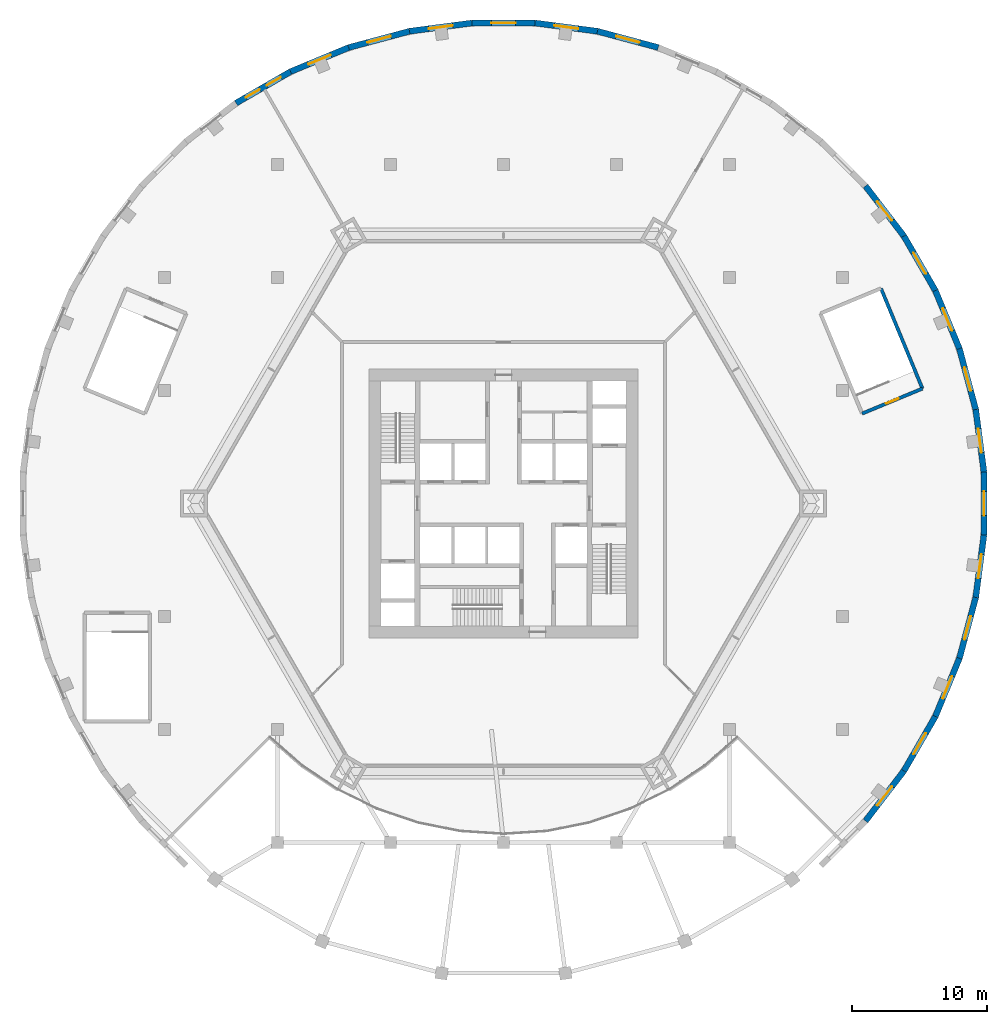
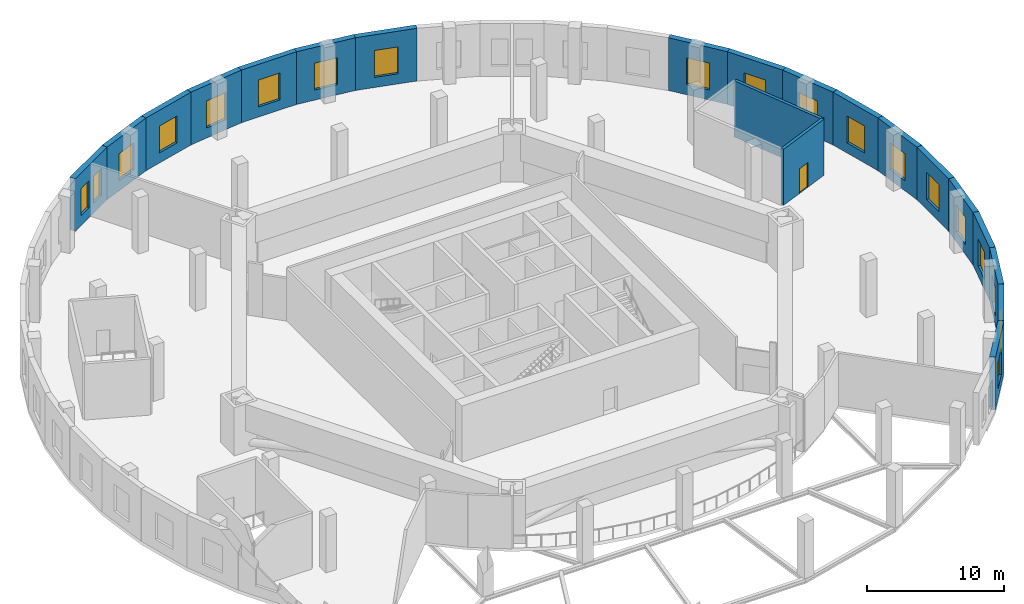
# One storey, part 8 of 10: 20 walls, 19 windows, 1 door, 20 openings.
"""IFC4 building model written with IfcOpenShell, lengths in metres."""

import ifcopenshell
import ifcopenshell.guid

model = None  # the IFC model being written
_history = None  # IfcOwnerHistory: only IFC2X3 demands one
_inside = {}  # id of a spatial element -> (the spatial element, [elements in it])
_under = {}  # id of a project, library or spatial element -> (it, [spatial elements below it])
_declared = {}  # id of a project -> (the project, [libraries it declares])
_typed = {}  # id of a type object -> (the type object, [elements of that type])
_made_of = {}  # id of a material, layer set ... -> (it, [elements and type objects made of it])


def new_model(schema):
    """Start an empty IFC model of exactly this schema.

    Asked for "IFC4X3", IfcOpenShell would pick the latest addendum, in which some entities
    have other attributes; the version numbers below select the first issue.
    IFC2X3 requires an IfcOwnerHistory on every rooted entity: one is made here for all.
    """
    global model, _history
    if schema == "IFC4X3":
        model = ifcopenshell.file(schema_version=(4, 3, 0, 0))
    else:
        model = ifcopenshell.file(schema=schema)
    _inside.clear()
    _under.clear()
    _declared.clear()
    _typed.clear()
    _made_of.clear()
    _history = None
    if model.schema == "IFC2X3":
        org = make("IfcOrganization", Name="unknown")
        user = make(
            "IfcPersonAndOrganization",
            ThePerson=make("IfcPerson", FamilyName="unknown"),
            TheOrganization=org,
        )
        app = make(
            "IfcApplication",
            ApplicationDeveloper=org,
            Version="unknown",
            ApplicationFullName="unknown",
            ApplicationIdentifier="unknown",
        )
        _history = make(
            "IfcOwnerHistory",
            OwningUser=user,
            OwningApplication=app,
            ChangeAction="ADDED",
            CreationDate=0,
        )
    return model


def make(cls, **values):
    """One entity of the class cls with the attributes given. An attribute that is None is left unset."""
    return model.create_entity(
        cls, **{name: value for name, value in values.items() if value is not None}
    )


def rooted(cls, **values):
    """An entity with a GlobalId (a new one), such as an element, a storey or a relation."""
    return make(cls, GlobalId=ifcopenshell.guid.new(), OwnerHistory=_history, **values)


def si_unit(unit_type, name, prefix=None):
    """IfcSIUnit, for example si_unit("LENGTHUNIT", "METRE", prefix="MILLI")."""
    return make("IfcSIUnit", UnitType=unit_type, Prefix=prefix, Name=name)


def assignment(units):
    """IfcUnitAssignment: the units of a project."""
    return None if units is None else make("IfcUnitAssignment", Units=units)


def point(xyz):
    """IfcCartesianPoint."""
    return None if xyz is None else make("IfcCartesianPoint", Coordinates=xyz)


def direction(xyz):
    """IfcDirection."""
    return None if xyz is None else make("IfcDirection", DirectionRatios=xyz)


def frame(location, z_axis=None, x_axis=None):
    """IfcAxis2Placement3D, a coordinate frame: its origin and axes. An axis left out is left unset."""
    return make(
        "IfcAxis2Placement3D",
        Location=point(location),
        Axis=direction(z_axis),
        RefDirection=direction(x_axis),
    )


def frame_2d(location, x_axis=None):
    """IfcAxis2Placement2D, a coordinate frame in the plane: its origin and x axis."""
    return make(
        "IfcAxis2Placement2D", Location=point(location), RefDirection=direction(x_axis)
    )


def origin():
    """The frame at (0, 0, 0) with its axes left unset."""
    return frame((0.0, 0.0, 0.0))


def place(relative_to, where):
    """IfcLocalPlacement: puts the frame where relative to a parent placement (None: the world)."""
    return make(
        "IfcLocalPlacement", PlacementRelTo=relative_to, RelativePlacement=where
    )


def context(
    kind, dimensions, precision=None, world=None, true_north=None, identifier=None
):
    """IfcGeometricRepresentationContext, for example the 3D "Model" context."""
    return make(
        "IfcGeometricRepresentationContext",
        ContextIdentifier=identifier,
        ContextType=kind,
        CoordinateSpaceDimension=dimensions,
        Precision=precision,
        WorldCoordinateSystem=world,
        TrueNorth=true_north,
    )


def subcontext(parent, identifier, kind, view, scale=None):
    """IfcGeometricRepresentationSubContext, for example "Body" below "Model"."""
    return make(
        "IfcGeometricRepresentationSubContext",
        ContextIdentifier=identifier,
        ContextType=kind,
        ParentContext=parent,
        TargetScale=scale,
        TargetView=view,
    )


def project(units=None, contexts=None):
    """IfcProject with its units and contexts."""
    return rooted(
        "IfcProject",
        Name="project",
        RepresentationContexts=contexts,
        UnitsInContext=assignment(units),
    )


def spatial(cls, under=None, at=None, **own):
    """A site, building, storey or space (cls), placed at a placement, below another one or the project."""
    s = rooted(cls, ObjectPlacement=at, **own)
    if under is not None:
        _under.setdefault(under.id(), (under, []))[1].append(s)
    return s


def profile(cls, at=None, kind="AREA", **sizes):
    """A parametric profile (cls). Its sizes go by their IFC names, for example OverallWidth=200.0."""
    return make(cls, ProfileType=kind, Position=at, **sizes)


def rectangle(**sizes):
    """IfcRectangleProfileDef."""
    return profile("IfcRectangleProfileDef", **sizes)


def extrude(swept, where, along, depth):
    """IfcExtrudedAreaSolid: the profile swept, set in the frame where, extruded along a direction by depth."""
    return make(
        "IfcExtrudedAreaSolid",
        SweptArea=swept,
        Position=where,
        ExtrudedDirection=direction(along),
        Depth=depth,
    )


def shape(context_of_items, identifier, shape_type, items):
    """IfcShapeRepresentation: the items that make up one representation, for example the "Body"."""
    return make(
        "IfcShapeRepresentation",
        ContextOfItems=context_of_items,
        RepresentationIdentifier=identifier,
        RepresentationType=shape_type,
        Items=items,
    )


def material(Name=None, Category=None):
    """IfcMaterial."""
    return make("IfcMaterial", Name=Name, Category=Category)


def layer(
    of_material, thickness, ventilated=None, Name=None, Category=None, Priority=None
):
    """IfcMaterialLayer: one layer of a wall or slab, of a material (None: an air gap)."""
    return make(
        "IfcMaterialLayer",
        Material=of_material,
        LayerThickness=thickness,
        IsVentilated=ventilated,
        Name=Name,
        Category=Category,
        Priority=Priority,
    )


def layer_set(layers, Name=None):
    """IfcMaterialLayerSet."""
    return make("IfcMaterialLayerSet", MaterialLayers=layers, LayerSetName=Name)


def made_of(thing, what):
    """Note that an element or type object is made of a material, layer set ...; save() writes the relation."""
    if what is not None:
        _made_of.setdefault(what.id(), (what, []))[1].append(thing)
    return thing


def type_object(cls, material=None, **own):
    """A type object (cls), such as IfcWallType, which elements share."""
    return made_of(rooted(cls, **own), material)


def element(
    cls,
    number,
    at=None,
    inside=None,
    cuts=None,
    type_object=None,
    material=None,
    context=None,
    identifier="Body",
    shape_type=None,
    held_by="IfcProductDefinitionShape",
    body=None,
    shapes=None,
    **own,
):
    """One element of the class cls, such as IfcWall. Its Tag is "e" and its number.

    at: its placement. inside: the storey or other place that contains it. cuts: it is an
    opening in that element (IfcRelVoidsElement). A single representation is given by context,
    identifier, shape_type and body (its items); several are given by shapes. held_by: the class
    of the entity that holds the representations. save() writes the other relations.
    """
    e = rooted(cls, Tag="e%d" % number, ObjectPlacement=at, **own)
    if body is not None:
        shapes = [shape(context, identifier, shape_type, body)]
    if shapes is not None:
        e.Representation = make(held_by, Representations=shapes)
    if inside is not None:
        _inside.setdefault(inside.id(), (inside, []))[1].append(e)
    if cuts is not None:
        rooted(
            "IfcRelVoidsElement", RelatingBuildingElement=cuts, RelatedOpeningElement=e
        )
    if type_object is not None:
        _typed.setdefault(type_object.id(), (type_object, []))[1].append(e)
    return made_of(e, material)


def fill(opening, filler):
    """IfcRelFillsElement: the door or window that sits in an opening."""
    return rooted(
        "IfcRelFillsElement",
        RelatingOpeningElement=opening,
        RelatedBuildingElement=filler,
    )


def aggregate(whole, parts):
    """IfcRelAggregates: a whole, such as a stair, and the parts it consists of."""
    return rooted("IfcRelAggregates", RelatingObject=whole, RelatedObjects=parts)


def save(model, path):
    """Write the relations noted so far, then the file.

    IfcRelAggregates (storeys below a building ...), IfcRelContainedInSpatialStructure (elements
    in a storey), IfcRelDefinesByType, IfcRelAssociatesMaterial and IfcRelDeclares: one each for
    every whole, place, type object, material and project.
    """
    for whole, parts in _under.values():
        aggregate(whole, parts)
    for where, things in _inside.values():
        rooted(
            "IfcRelContainedInSpatialStructure",
            RelatedElements=things,
            RelatingStructure=where,
        )
    for kind, things in _typed.values():
        rooted("IfcRelDefinesByType", RelatedObjects=things, RelatingType=kind)
    for what, things in _made_of.values():
        rooted("IfcRelAssociatesMaterial", RelatedObjects=things, RelatingMaterial=what)
    for by, libraries in _declared.values():
        rooted("IfcRelDeclares", RelatingContext=by, RelatedDefinitions=libraries)
    model.write(path)


model = new_model("IFC4")

# Units and contexts
model_context = context("Model", 3, precision=1e-05, world=origin(), true_north=direction((0.0, 1.0)))
body_context = subcontext(model_context, "Body", "Model", "MODEL_VIEW")
ifc_project = project(units=[si_unit("LENGTHUNIT", "METRE"), si_unit("AREAUNIT", "SQUARE_METRE"), si_unit("VOLUMEUNIT", "CUBIC_METRE"), si_unit("PLANEANGLEUNIT", "RADIAN"), si_unit("MASSUNIT", "GRAM", prefix="KILO")], contexts=[model_context])

# Site, building, storey
site_placement = place(None, origin())
site = spatial("IfcSite", under=ifc_project, at=site_placement, CompositionType="ELEMENT")
building_placement = place(site_placement, origin())
building = spatial("IfcBuilding", under=site, at=building_placement, Name="Golbaran Civic Tower", CompositionType="ELEMENT")
storey_placement = place(building_placement, frame((0.0, 0.0, 16.0)))
storey = spatial("IfcBuildingStorey", under=building, at=storey_placement, Name="L03", CompositionType="ELEMENT", Elevation=16.0)

# Wall, opening, door
ifc_material_1 = material(Name="Concrete C50/60", Category="concrete")
ifc_layer_1 = layer(ifc_material_1, 0.25, Name="Concrete C50/60")
ifc_layer_set_1 = layer_set([ifc_layer_1], Name="Concrete C50/60")
wall_type_1 = type_object("IfcWallType", Name="STAIR ENCLOSURE WALL CONCRETE 250", PredefinedType="SOLIDWALL", material=ifc_layer_set_1)
wall_1_placement = place(storey_placement, frame((31.12744140625, 8.536865234375, 0.0), z_axis=(0.0, 0.0, 1.0), x_axis=(-0.923880627248, -0.382680789426, 0.0)))
wall_1 = element("IfcWall", 1, at=wall_1_placement, inside=storey, type_object=wall_type_1, Name="Stair P1 enclosure A L03", PredefinedType="SOLIDWALL", context=body_context, shape_type="SweptSolid", body=[
    extrude(rectangle(XDim=4.849853515625, YDim=0.25, at=frame_2d((2.4248046875, 0.0))), origin(), (0.0, 0.0, 1.0), 5.0),
])
opening_1_placement = place(wall_1_placement, frame((1.925048828125, 0.0, 0.0)))
opening_1 = element("IfcOpeningElement", 2, at=opening_1_placement, cuts=wall_1, Name="Opening L03.P1", PredefinedType="OPENING", context=body_context, shape_type="SweptSolid", body=[
    extrude(rectangle(XDim=1.0, YDim=2.199951171875, at=frame_2d((0.5, 1.10009765625))), frame((0.0, 0.135009765625, 0.0), z_axis=(0.0, -1.0, 0.0), x_axis=(1.0, 0.0, 0.0)), (0.0, 0.0, 1.0), 0.27001953125),
])
ifc_material_2 = material(Name="Timber door set in steel frame", Category="steel")
door_type = type_object("IfcDoorType", Name="STAIR DOOR 1000x2200", OperationType="SINGLE_SWING_LEFT", PredefinedType="DOOR", material=ifc_material_2)
door_placement = place(opening_1_placement, origin())
door = element("IfcDoor", 3, at=door_placement, inside=storey, type_object=door_type, Name="Stair P1 door", OperationType="SINGLE_SWING_RIGHT", OverallHeight=2.199951171875, OverallWidth=1.0, PredefinedType="DOOR", context=body_context, shape_type="SweptSolid", body=[
    extrude(rectangle(XDim=1.0, YDim=2.199951171875, at=frame_2d((0.5, 1.10009765625))), frame((0.0, 0.02490234375, 0.0), z_axis=(0.0, -1.0, 0.0), x_axis=(1.0, 0.0, 0.0)), (0.0, 0.0, 1.0), 0.050048828125),
])
fill(opening_1, door)

# Wall
wall_2_placement = place(storey_placement, frame((28.046875, 15.97412109375, 0.0), z_axis=(0.0, 0.0, 1.0), x_axis=(0.382678572144, -0.923881545666, 0.0)))
element("IfcWall", 4, at=wall_2_placement, inside=storey, type_object=wall_type_1, Name="Stair P1 enclosure D L03", PredefinedType="SOLIDWALL", context=body_context, shape_type="SweptSolid", body=[
    extrude(rectangle(XDim=8.050048828125, YDim=0.25, at=frame_2d((4.02490234375, 0.0))), origin(), (0.0, 0.0, 1.0), 5.0),
])

# Wall, opening, window
ifc_material_3 = material(Name="Terracotta brick", Category="masonry")
ifc_layer_2 = layer(ifc_material_3, 0.449951171875, Name="Terracotta brick")
ifc_layer_set_2 = layer_set([ifc_layer_2], Name="Terracotta brick")
wall_type_2 = type_object("IfcWallType", Name="TERRACOTTA BRICK FACADE WALL 450", PredefinedType="SOLIDWALL", material=ifc_layer_set_2)
wall_3_placement = place(storey_placement, frame((35.698486328125, 2.33984375, 0.0), z_axis=(0.0, 0.0, 1.0), x_axis=(-0.130536838198, 0.991443459746, 0.0)))
wall_3 = element("IfcWall", 5, at=wall_3_placement, inside=storey, type_object=wall_type_2, Name="Podium wall L03 facet 1", PredefinedType="SOLIDWALL", context=body_context, shape_type="SweptSolid", body=[
    extrude(rectangle(XDim=4.679443359375, YDim=0.449951171875, at=frame_2d((2.33984375, 0.0))), origin(), (0.0, 0.0, 1.0), 4.699951171875),
])
opening_2_placement = place(wall_3_placement, frame((1.439697265625, 0.0, 0.89990234375)))
opening_2 = element("IfcOpeningElement", 6, at=opening_2_placement, cuts=wall_3, Name="Opening L03.W01", PredefinedType="OPENING", context=body_context, shape_type="SweptSolid", body=[
    extrude(rectangle(XDim=1.800048828125, YDim=2.39990234375, at=frame_2d((0.89990234375, 1.199951171875))), frame((0.0, 0.23486328125, 0.0), z_axis=(0.0, -1.0, 0.0), x_axis=(1.0, 0.0, 0.0)), (0.0, 0.0, 1.0), 0.469970703125),
])
ifc_material_4 = material(Name="Aluminium frame, clear glass", Category="aluminium")
window_type_1 = type_object("IfcWindowType", Name="PODIUM WINDOW 1800x2400", PartitioningType="SINGLE_PANEL", PredefinedType="WINDOW", material=ifc_material_4)
window_1_placement = place(opening_2_placement, origin())
window_1 = element("IfcWindow", 7, at=window_1_placement, inside=storey, type_object=window_type_1, Name="Podium window L03 facet 1", OverallHeight=2.39990234375, OverallWidth=1.800048828125, PartitioningType="SINGLE_PANEL", PredefinedType="WINDOW", context=body_context, shape_type="SweptSolid", body=[
    extrude(rectangle(XDim=1.800048828125, YDim=2.39990234375, at=frame_2d((0.89990234375, 1.199951171875))), frame((0.0, 0.030029296875, 0.0), z_axis=(0.0, -1.0, 0.0), x_axis=(1.0, 0.0, 0.0)), (0.0, 0.0, 1.0), 0.06005859375),
])
fill(opening_2, window_1)

wall_4_placement = place(storey_placement, frame((35.087646484375, 6.979248046875, 0.0), z_axis=(0.0, 0.0, 1.0), x_axis=(-0.258815185258, 0.965926860523, 0.0)))
wall_4 = element("IfcWall", 8, at=wall_4_placement, inside=storey, type_object=wall_type_2, Name="Podium wall L03 facet 2", PredefinedType="SOLIDWALL", context=body_context, shape_type="SweptSolid", body=[
    extrude(rectangle(XDim=4.6796875, YDim=0.449951171875, at=frame_2d((2.33984375, 0.0))), origin(), (0.0, 0.0, 1.0), 4.699951171875),
])
opening_3_placement = place(wall_4_placement, frame((1.439697265625, 0.0, 0.89990234375)))
opening_3 = element("IfcOpeningElement", 9, at=opening_3_placement, cuts=wall_4, Name="Opening L03.W02", PredefinedType="OPENING", context=body_context, shape_type="SweptSolid", body=[
    extrude(rectangle(XDim=1.800048828125, YDim=2.39990234375, at=frame_2d((0.89990234375, 1.199951171875))), frame((0.0, 0.23486328125, 0.0), z_axis=(0.0, -1.0, 0.0), x_axis=(1.0, 0.0, 0.0)), (0.0, 0.0, 1.0), 0.469970703125),
])
window_2_placement = place(opening_3_placement, origin())
window_2 = element("IfcWindow", 10, at=window_2_placement, inside=storey, type_object=window_type_1, Name="Podium window L03 facet 2", OverallHeight=2.39990234375, OverallWidth=1.800048828125, PartitioningType="SINGLE_PANEL", PredefinedType="WINDOW", context=body_context, shape_type="SweptSolid", body=[
    extrude(rectangle(XDim=1.800048828125, YDim=2.39990234375, at=frame_2d((0.89990234375, 1.199951171875))), frame((0.0, 0.030029296875, 0.0), z_axis=(0.0, -1.0, 0.0), x_axis=(1.0, 0.0, 0.0)), (0.0, 0.0, 1.0), 0.06005859375),
])
fill(opening_3, window_2)

wall_5_placement = place(storey_placement, frame((33.87646484375, 11.49951171875, 0.0), z_axis=(0.0, 0.0, 1.0), x_axis=(-0.382669718086, 0.923885213032, 0.0)))
wall_5 = element("IfcWall", 11, at=wall_5_placement, inside=storey, type_object=wall_type_2, Name="Podium wall L03 facet 3", PredefinedType="SOLIDWALL", context=body_context, shape_type="SweptSolid", body=[
    extrude(rectangle(XDim=4.6796875, YDim=0.449951171875, at=frame_2d((2.33984375, 0.0))), origin(), (0.0, 0.0, 1.0), 4.699951171875),
])
opening_4_placement = place(wall_5_placement, frame((1.439697265625, 0.0, 0.89990234375)))
opening_4 = element("IfcOpeningElement", 12, at=opening_4_placement, cuts=wall_5, Name="Opening L03.W03", PredefinedType="OPENING", context=body_context, shape_type="SweptSolid", body=[
    extrude(rectangle(XDim=1.800048828125, YDim=2.39990234375, at=frame_2d((0.89990234375, 1.199951171875))), frame((0.0, 0.23486328125, 0.0), z_axis=(0.0, -1.0, 0.0), x_axis=(1.0, 0.0, 0.0)), (0.0, 0.0, 1.0), 0.469970703125),
])
window_3_placement = place(opening_4_placement, origin())
window_3 = element("IfcWindow", 13, at=window_3_placement, inside=storey, type_object=window_type_1, Name="Podium window L03 facet 3", OverallHeight=2.39990234375, OverallWidth=1.800048828125, PartitioningType="SINGLE_PANEL", PredefinedType="WINDOW", context=body_context, shape_type="SweptSolid", body=[
    extrude(rectangle(XDim=1.800048828125, YDim=2.39990234375, at=frame_2d((0.89990234375, 1.199951171875))), frame((0.0, 0.030029296875, 0.0), z_axis=(0.0, -1.0, 0.0), x_axis=(1.0, 0.0, 0.0)), (0.0, 0.0, 1.0), 0.06005859375),
])
fill(opening_4, window_3)

wall_6_placement = place(storey_placement, frame((32.085693359375, 15.822998046875, 0.0), z_axis=(0.0, 0.0, 1.0), x_axis=(-0.500022025083, 0.866012687223, 0.0)))
wall_6 = element("IfcWall", 14, at=wall_6_placement, inside=storey, type_object=wall_type_2, Name="Podium wall L03 facet 4", PredefinedType="SOLIDWALL", context=body_context, shape_type="SweptSolid", body=[
    extrude(rectangle(XDim=4.679443359375, YDim=0.449951171875, at=frame_2d((2.33984375, 0.0))), origin(), (0.0, 0.0, 1.0), 4.699951171875),
])
opening_5_placement = place(wall_6_placement, frame((1.439697265625, 0.0, 0.89990234375)))
opening_5 = element("IfcOpeningElement", 15, at=opening_5_placement, cuts=wall_6, Name="Opening L03.W04", PredefinedType="OPENING", context=body_context, shape_type="SweptSolid", body=[
    extrude(rectangle(XDim=1.800048828125, YDim=2.39990234375, at=frame_2d((0.89990234375, 1.199951171875))), frame((0.0, 0.23486328125, 0.0), z_axis=(0.0, -1.0, 0.0), x_axis=(1.0, 0.0, 0.0)), (0.0, 0.0, 1.0), 0.469970703125),
])
window_4_placement = place(opening_5_placement, origin())
window_4 = element("IfcWindow", 16, at=window_4_placement, inside=storey, type_object=window_type_1, Name="Podium window L03 facet 4", OverallHeight=2.39990234375, OverallWidth=1.800048828125, PartitioningType="SINGLE_PANEL", PredefinedType="WINDOW", context=body_context, shape_type="SweptSolid", body=[
    extrude(rectangle(XDim=1.800048828125, YDim=2.39990234375, at=frame_2d((0.89990234375, 1.199951171875))), frame((0.0, 0.030029296875, 0.0), z_axis=(0.0, -1.0, 0.0), x_axis=(1.0, 0.0, 0.0)), (0.0, 0.0, 1.0), 0.06005859375),
])
fill(opening_5, window_4)

wall_7_placement = place(storey_placement, frame((29.745849609375, 19.87548828125, 0.0), z_axis=(0.0, 0.0, 1.0), x_axis=(-0.608769916927, 0.79334682721, 0.0)))
wall_7 = element("IfcWall", 17, at=wall_7_placement, inside=storey, type_object=wall_type_2, Name="Podium wall L03 facet 5", PredefinedType="SOLIDWALL", context=body_context, shape_type="SweptSolid", body=[
    extrude(rectangle(XDim=4.6796875, YDim=0.449951171875, at=frame_2d((2.33984375, 0.0))), origin(), (0.0, 0.0, 1.0), 4.699951171875),
])
opening_6_placement = place(wall_7_placement, frame((1.439697265625, 0.0, 0.89990234375)))
opening_6 = element("IfcOpeningElement", 18, at=opening_6_placement, cuts=wall_7, Name="Opening L03.W05", PredefinedType="OPENING", context=body_context, shape_type="SweptSolid", body=[
    extrude(rectangle(XDim=1.800048828125, YDim=2.39990234375, at=frame_2d((0.89990234375, 1.199951171875))), frame((0.0, 0.23486328125, 0.0), z_axis=(0.0, -1.0, 0.0), x_axis=(1.0, 0.0, 0.0)), (0.0, 0.0, 1.0), 0.469970703125),
])
window_5_placement = place(opening_6_placement, origin())
window_5 = element("IfcWindow", 19, at=window_5_placement, inside=storey, type_object=window_type_1, Name="Podium window L03 facet 5", OverallHeight=2.39990234375, OverallWidth=1.800048828125, PartitioningType="SINGLE_PANEL", PredefinedType="WINDOW", context=body_context, shape_type="SweptSolid", body=[
    extrude(rectangle(XDim=1.800048828125, YDim=2.39990234375, at=frame_2d((0.89990234375, 1.199951171875))), frame((0.0, 0.030029296875, 0.0), z_axis=(0.0, -1.0, 0.0), x_axis=(1.0, 0.0, 0.0)), (0.0, 0.0, 1.0), 0.06005859375),
])
fill(opening_6, window_5)

wall_8_placement = place(storey_placement, frame((11.49951171875, 33.87646484375, 0.0), z_axis=(0.0, 0.0, 1.0), x_axis=(-0.965926860523, 0.258815185258, 0.0)))
wall_8 = element("IfcWall", 20, at=wall_8_placement, inside=storey, type_object=wall_type_2, Name="Podium wall L03 facet 10", PredefinedType="SOLIDWALL", context=body_context, shape_type="SweptSolid", body=[
    extrude(rectangle(XDim=4.6796875, YDim=0.449951171875, at=frame_2d((2.33984375, 0.0))), origin(), (0.0, 0.0, 1.0), 4.699951171875),
])
opening_7_placement = place(wall_8_placement, frame((1.439697265625, 0.0, 0.89990234375)))
opening_7 = element("IfcOpeningElement", 21, at=opening_7_placement, cuts=wall_8, Name="Opening L03.W11", PredefinedType="OPENING", context=body_context, shape_type="SweptSolid", body=[
    extrude(rectangle(XDim=1.800048828125, YDim=2.39990234375, at=frame_2d((0.89990234375, 1.199951171875))), frame((0.0, 0.23486328125, 0.0), z_axis=(0.0, -1.0, 0.0), x_axis=(1.0, 0.0, 0.0)), (0.0, 0.0, 1.0), 0.469970703125),
])
window_6_placement = place(opening_7_placement, origin())
window_6 = element("IfcWindow", 22, at=window_6_placement, inside=storey, type_object=window_type_1, Name="Podium window L03 facet 10", OverallHeight=2.39990234375, OverallWidth=1.800048828125, PartitioningType="SINGLE_PANEL", PredefinedType="WINDOW", context=body_context, shape_type="SweptSolid", body=[
    extrude(rectangle(XDim=1.800048828125, YDim=2.39990234375, at=frame_2d((0.89990234375, 1.199951171875))), frame((0.0, 0.030029296875, 0.0), z_axis=(0.0, -1.0, 0.0), x_axis=(1.0, 0.0, 0.0)), (0.0, 0.0, 1.0), 0.06005859375),
])
fill(opening_7, window_6)

wall_9_placement = place(storey_placement, frame((6.979248046875, 35.087646484375, 0.0), z_axis=(0.0, 0.0, 1.0), x_axis=(-0.991443459746, 0.130536838198, 0.0)))
wall_9 = element("IfcWall", 23, at=wall_9_placement, inside=storey, type_object=wall_type_2, Name="Podium wall L03 facet 11", PredefinedType="SOLIDWALL", context=body_context, shape_type="SweptSolid", body=[
    extrude(rectangle(XDim=4.679443359375, YDim=0.449951171875, at=frame_2d((2.33984375, 0.0))), origin(), (0.0, 0.0, 1.0), 4.699951171875),
])
opening_8_placement = place(wall_9_placement, frame((1.439697265625, 0.0, 0.89990234375)))
opening_8 = element("IfcOpeningElement", 24, at=opening_8_placement, cuts=wall_9, Name="Opening L03.W12", PredefinedType="OPENING", context=body_context, shape_type="SweptSolid", body=[
    extrude(rectangle(XDim=1.800048828125, YDim=2.39990234375, at=frame_2d((0.89990234375, 1.199951171875))), frame((0.0, 0.23486328125, 0.0), z_axis=(0.0, -1.0, 0.0), x_axis=(1.0, 0.0, 0.0)), (0.0, 0.0, 1.0), 0.469970703125),
])
window_7_placement = place(opening_8_placement, origin())
window_7 = element("IfcWindow", 25, at=window_7_placement, inside=storey, type_object=window_type_1, Name="Podium window L03 facet 11", OverallHeight=2.39990234375, OverallWidth=1.800048828125, PartitioningType="SINGLE_PANEL", PredefinedType="WINDOW", context=body_context, shape_type="SweptSolid", body=[
    extrude(rectangle(XDim=1.800048828125, YDim=2.39990234375, at=frame_2d((0.89990234375, 1.199951171875))), frame((0.0, 0.030029296875, 0.0), z_axis=(0.0, -1.0, 0.0), x_axis=(1.0, 0.0, 0.0)), (0.0, 0.0, 1.0), 0.06005859375),
])
fill(opening_8, window_7)

wall_10_placement = place(storey_placement, frame((2.33984375, 35.698486328125, 0.0), z_axis=(0.0, 0.0, 1.0), x_axis=(-1.0, 0.0, 0.0)))
wall_10 = element("IfcWall", 26, at=wall_10_placement, inside=storey, type_object=wall_type_2, Name="Podium wall L03 facet 12", PredefinedType="SOLIDWALL", context=body_context, shape_type="SweptSolid", body=[
    extrude(rectangle(XDim=4.6796875, YDim=0.449951171875, at=frame_2d((2.33984375, 0.0))), origin(), (0.0, 0.0, 1.0), 4.699951171875),
])
opening_9_placement = place(wall_10_placement, frame((1.439697265625, 0.0, 0.89990234375)))
opening_9 = element("IfcOpeningElement", 27, at=opening_9_placement, cuts=wall_10, Name="Opening L03.W13", PredefinedType="OPENING", context=body_context, shape_type="SweptSolid", body=[
    extrude(rectangle(XDim=1.800048828125, YDim=2.39990234375, at=frame_2d((0.89990234375, 1.199951171875))), frame((0.0, 0.23486328125, 0.0), z_axis=(0.0, -1.0, 0.0), x_axis=(1.0, 0.0, 0.0)), (0.0, 0.0, 1.0), 0.469970703125),
])
window_8_placement = place(opening_9_placement, origin())
window_8 = element("IfcWindow", 28, at=window_8_placement, inside=storey, type_object=window_type_1, Name="Podium window L03 facet 12", OverallHeight=2.39990234375, OverallWidth=1.800048828125, PartitioningType="SINGLE_PANEL", PredefinedType="WINDOW", context=body_context, shape_type="SweptSolid", body=[
    extrude(rectangle(XDim=1.800048828125, YDim=2.39990234375, at=frame_2d((0.89990234375, 1.199951171875))), frame((0.0, 0.030029296875, 0.0), z_axis=(0.0, -1.0, 0.0), x_axis=(1.0, 0.0, 0.0)), (0.0, 0.0, 1.0), 0.06005859375),
])
fill(opening_9, window_8)

wall_11_placement = place(storey_placement, frame((-2.33984375, 35.698486328125, 0.0), z_axis=(0.0, 0.0, 1.0), x_axis=(-0.991443459746, -0.130536838198, 0.0)))
wall_11 = element("IfcWall", 29, at=wall_11_placement, inside=storey, type_object=wall_type_2, Name="Podium wall L03 facet 13", PredefinedType="SOLIDWALL", context=body_context, shape_type="SweptSolid", body=[
    extrude(rectangle(XDim=4.679443359375, YDim=0.449951171875, at=frame_2d((2.33984375, 0.0))), origin(), (0.0, 0.0, 1.0), 4.699951171875),
])
opening_10_placement = place(wall_11_placement, frame((1.439697265625, 0.0, 0.89990234375)))
opening_10 = element("IfcOpeningElement", 30, at=opening_10_placement, cuts=wall_11, Name="Opening L03.W14", PredefinedType="OPENING", context=body_context, shape_type="SweptSolid", body=[
    extrude(rectangle(XDim=1.800048828125, YDim=2.39990234375, at=frame_2d((0.89990234375, 1.199951171875))), frame((0.0, 0.23486328125, 0.0), z_axis=(0.0, -1.0, 0.0), x_axis=(1.0, 0.0, 0.0)), (0.0, 0.0, 1.0), 0.469970703125),
])
window_9_placement = place(opening_10_placement, origin())
window_9 = element("IfcWindow", 31, at=window_9_placement, inside=storey, type_object=window_type_1, Name="Podium window L03 facet 13", OverallHeight=2.39990234375, OverallWidth=1.800048828125, PartitioningType="SINGLE_PANEL", PredefinedType="WINDOW", context=body_context, shape_type="SweptSolid", body=[
    extrude(rectangle(XDim=1.800048828125, YDim=2.39990234375, at=frame_2d((0.89990234375, 1.199951171875))), frame((0.0, 0.030029296875, 0.0), z_axis=(0.0, -1.0, 0.0), x_axis=(1.0, 0.0, 0.0)), (0.0, 0.0, 1.0), 0.06005859375),
])
fill(opening_10, window_9)

wall_12_placement = place(storey_placement, frame((-6.979248046875, 35.087646484375, 0.0), z_axis=(0.0, 0.0, 1.0), x_axis=(-0.965926860523, -0.258815185258, 0.0)))
wall_12 = element("IfcWall", 32, at=wall_12_placement, inside=storey, type_object=wall_type_2, Name="Podium wall L03 facet 14", PredefinedType="SOLIDWALL", context=body_context, shape_type="SweptSolid", body=[
    extrude(rectangle(XDim=4.6796875, YDim=0.449951171875, at=frame_2d((2.33984375, 0.0))), origin(), (0.0, 0.0, 1.0), 4.699951171875),
])
opening_11_placement = place(wall_12_placement, frame((1.439697265625, 0.0, 0.89990234375)))
opening_11 = element("IfcOpeningElement", 33, at=opening_11_placement, cuts=wall_12, Name="Opening L03.W15", PredefinedType="OPENING", context=body_context, shape_type="SweptSolid", body=[
    extrude(rectangle(XDim=1.800048828125, YDim=2.39990234375, at=frame_2d((0.89990234375, 1.199951171875))), frame((0.0, 0.23486328125, 0.0), z_axis=(0.0, -1.0, 0.0), x_axis=(1.0, 0.0, 0.0)), (0.0, 0.0, 1.0), 0.469970703125),
])
window_10_placement = place(opening_11_placement, origin())
window_10 = element("IfcWindow", 34, at=window_10_placement, inside=storey, type_object=window_type_1, Name="Podium window L03 facet 14", OverallHeight=2.39990234375, OverallWidth=1.800048828125, PartitioningType="SINGLE_PANEL", PredefinedType="WINDOW", context=body_context, shape_type="SweptSolid", body=[
    extrude(rectangle(XDim=1.800048828125, YDim=2.39990234375, at=frame_2d((0.89990234375, 1.199951171875))), frame((0.0, 0.030029296875, 0.0), z_axis=(0.0, -1.0, 0.0), x_axis=(1.0, 0.0, 0.0)), (0.0, 0.0, 1.0), 0.06005859375),
])
fill(opening_11, window_10)

wall_13_placement = place(storey_placement, frame((-11.49951171875, 33.87646484375, 0.0), z_axis=(0.0, 0.0, 1.0), x_axis=(-0.923885213032, -0.382669718086, 0.0)))
wall_13 = element("IfcWall", 35, at=wall_13_placement, inside=storey, type_object=wall_type_2, Name="Podium wall L03 facet 15", PredefinedType="SOLIDWALL", context=body_context, shape_type="SweptSolid", body=[
    extrude(rectangle(XDim=4.6796875, YDim=0.449951171875, at=frame_2d((2.33984375, 0.0))), origin(), (0.0, 0.0, 1.0), 4.699951171875),
])
opening_12_placement = place(wall_13_placement, frame((1.439697265625, 0.0, 0.89990234375)))
opening_12 = element("IfcOpeningElement", 36, at=opening_12_placement, cuts=wall_13, Name="Opening L03.W16", PredefinedType="OPENING", context=body_context, shape_type="SweptSolid", body=[
    extrude(rectangle(XDim=1.800048828125, YDim=2.39990234375, at=frame_2d((0.89990234375, 1.199951171875))), frame((0.0, 0.23486328125, 0.0), z_axis=(0.0, -1.0, 0.0), x_axis=(1.0, 0.0, 0.0)), (0.0, 0.0, 1.0), 0.469970703125),
])
window_11_placement = place(opening_12_placement, origin())
window_11 = element("IfcWindow", 37, at=window_11_placement, inside=storey, type_object=window_type_1, Name="Podium window L03 facet 15", OverallHeight=2.39990234375, OverallWidth=1.800048828125, PartitioningType="SINGLE_PANEL", PredefinedType="WINDOW", context=body_context, shape_type="SweptSolid", body=[
    extrude(rectangle(XDim=1.800048828125, YDim=2.39990234375, at=frame_2d((0.89990234375, 1.199951171875))), frame((0.0, 0.030029296875, 0.0), z_axis=(0.0, -1.0, 0.0), x_axis=(1.0, 0.0, 0.0)), (0.0, 0.0, 1.0), 0.06005859375),
])
fill(opening_12, window_11)

# Wall, openings, windows
wall_14_placement = place(storey_placement, frame((-15.822998046875, 32.085693359375, 0.0), z_axis=(0.0, 0.0, 1.0), x_axis=(-0.866012687223, -0.500022025083, 0.0)))
wall_14 = element("IfcWall", 38, at=wall_14_placement, inside=storey, type_object=wall_type_2, Name="Podium wall L03 facet 16", PredefinedType="SOLIDWALL", context=body_context, shape_type="SweptSolid", body=[
    extrude(rectangle(XDim=4.679443359375, YDim=0.449951171875, at=frame_2d((2.33984375, 0.0))), origin(), (0.0, 0.0, 1.0), 4.699951171875),
])
opening_13_placement = place(wall_14_placement, frame((0.840087890625, 0.0, 0.89990234375)))
opening_13 = element("IfcOpeningElement", 39, at=opening_13_placement, cuts=wall_14, Name="Opening L03.W17", PredefinedType="OPENING", context=body_context, shape_type="SweptSolid", body=[
    extrude(rectangle(XDim=1.199951171875, YDim=2.39990234375, at=frame_2d((0.60009765625, 1.199951171875))), frame((0.0, 0.23486328125, 0.0), z_axis=(0.0, -1.0, 0.0), x_axis=(1.0, 0.0, 0.0)), (0.0, 0.0, 1.0), 0.469970703125),
])
opening_14_placement = place(wall_14_placement, frame((2.639892578125, 0.0, 0.89990234375)))
opening_14 = element("IfcOpeningElement", 40, at=opening_14_placement, cuts=wall_14, Name="Opening L03.W18", PredefinedType="OPENING", context=body_context, shape_type="SweptSolid", body=[
    extrude(rectangle(XDim=1.199951171875, YDim=2.39990234375, at=frame_2d((0.60009765625, 1.199951171875))), frame((0.0, 0.23486328125, 0.0), z_axis=(0.0, -1.0, 0.0), x_axis=(1.0, 0.0, 0.0)), (0.0, 0.0, 1.0), 0.469970703125),
])
window_type_2 = type_object("IfcWindowType", Name="PODIUM PAIRED WINDOW 1200x2400", PartitioningType="SINGLE_PANEL", PredefinedType="WINDOW", material=ifc_material_4)
window_12_placement = place(opening_13_placement, origin())
window_12 = element("IfcWindow", 41, at=window_12_placement, inside=storey, type_object=window_type_2, Name="Podium window L03 facet 16a", OverallHeight=2.39990234375, OverallWidth=1.199951171875, PartitioningType="SINGLE_PANEL", PredefinedType="WINDOW", context=body_context, shape_type="SweptSolid", body=[
    extrude(rectangle(XDim=1.199951171875, YDim=2.39990234375, at=frame_2d((0.60009765625, 1.199951171875))), frame((0.0, 0.030029296875, 0.0), z_axis=(0.0, -1.0, 0.0), x_axis=(1.0, 0.0, 0.0)), (0.0, 0.0, 1.0), 0.06005859375),
])
fill(opening_13, window_12)
window_13_placement = place(opening_14_placement, origin())
window_13 = element("IfcWindow", 42, at=window_13_placement, inside=storey, type_object=window_type_2, Name="Podium window L03 facet 16b", OverallHeight=2.39990234375, OverallWidth=1.199951171875, PartitioningType="SINGLE_PANEL", PredefinedType="WINDOW", context=body_context, shape_type="SweptSolid", body=[
    extrude(rectangle(XDim=1.199951171875, YDim=2.39990234375, at=frame_2d((0.60009765625, 1.199951171875))), frame((0.0, 0.030029296875, 0.0), z_axis=(0.0, -1.0, 0.0), x_axis=(1.0, 0.0, 0.0)), (0.0, 0.0, 1.0), 0.06005859375),
])
fill(opening_14, window_13)

# Wall, opening, window
wall_15_placement = place(storey_placement, frame((26.89697265625, -23.588134765625, 0.0), z_axis=(0.0, 0.0, 1.0), x_axis=(0.608769916927, 0.79334682721, 0.0)))
wall_15 = element("IfcWall", 43, at=wall_15_placement, inside=storey, type_object=wall_type_2, Name="Podium wall L03 facet 43", PredefinedType="SOLIDWALL", context=body_context, shape_type="SweptSolid", body=[
    extrude(rectangle(XDim=4.6796875, YDim=0.449951171875, at=frame_2d((2.33984375, 0.0))), origin(), (0.0, 0.0, 1.0), 4.699951171875),
])
opening_15_placement = place(wall_15_placement, frame((1.439697265625, 0.0, 0.89990234375)))
opening_15 = element("IfcOpeningElement", 44, at=opening_15_placement, cuts=wall_15, Name="Opening L03.W36", PredefinedType="OPENING", context=body_context, shape_type="SweptSolid", body=[
    extrude(rectangle(XDim=1.800048828125, YDim=2.39990234375, at=frame_2d((0.89990234375, 1.199951171875))), frame((0.0, 0.23486328125, 0.0), z_axis=(0.0, -1.0, 0.0), x_axis=(1.0, 0.0, 0.0)), (0.0, 0.0, 1.0), 0.469970703125),
])
window_14_placement = place(opening_15_placement, origin())
window_14 = element("IfcWindow", 45, at=window_14_placement, inside=storey, type_object=window_type_1, Name="Podium window L03 facet 43", OverallHeight=2.39990234375, OverallWidth=1.800048828125, PartitioningType="SINGLE_PANEL", PredefinedType="WINDOW", context=body_context, shape_type="SweptSolid", body=[
    extrude(rectangle(XDim=1.800048828125, YDim=2.39990234375, at=frame_2d((0.89990234375, 1.199951171875))), frame((0.0, 0.030029296875, 0.0), z_axis=(0.0, -1.0, 0.0), x_axis=(1.0, 0.0, 0.0)), (0.0, 0.0, 1.0), 0.06005859375),
])
fill(opening_15, window_14)

wall_16_placement = place(storey_placement, frame((29.745849609375, -19.87548828125, 0.0), z_axis=(0.0, 0.0, 1.0), x_axis=(0.500022025083, 0.866012687223, 0.0)))
wall_16 = element("IfcWall", 46, at=wall_16_placement, inside=storey, type_object=wall_type_2, Name="Podium wall L03 facet 44", PredefinedType="SOLIDWALL", context=body_context, shape_type="SweptSolid", body=[
    extrude(rectangle(XDim=4.679443359375, YDim=0.449951171875, at=frame_2d((2.33984375, 0.0))), origin(), (0.0, 0.0, 1.0), 4.699951171875),
])
opening_16_placement = place(wall_16_placement, frame((1.439697265625, 0.0, 0.89990234375)))
opening_16 = element("IfcOpeningElement", 47, at=opening_16_placement, cuts=wall_16, Name="Opening L03.W37", PredefinedType="OPENING", context=body_context, shape_type="SweptSolid", body=[
    extrude(rectangle(XDim=1.800048828125, YDim=2.39990234375, at=frame_2d((0.89990234375, 1.199951171875))), frame((0.0, 0.23486328125, 0.0), z_axis=(0.0, -1.0, 0.0), x_axis=(1.0, 0.0, 0.0)), (0.0, 0.0, 1.0), 0.469970703125),
])
window_15_placement = place(opening_16_placement, origin())
window_15 = element("IfcWindow", 48, at=window_15_placement, inside=storey, type_object=window_type_1, Name="Podium window L03 facet 44", OverallHeight=2.39990234375, OverallWidth=1.800048828125, PartitioningType="SINGLE_PANEL", PredefinedType="WINDOW", context=body_context, shape_type="SweptSolid", body=[
    extrude(rectangle(XDim=1.800048828125, YDim=2.39990234375, at=frame_2d((0.89990234375, 1.199951171875))), frame((0.0, 0.030029296875, 0.0), z_axis=(0.0, -1.0, 0.0), x_axis=(1.0, 0.0, 0.0)), (0.0, 0.0, 1.0), 0.06005859375),
])
fill(opening_16, window_15)

wall_17_placement = place(storey_placement, frame((32.085693359375, -15.822998046875, 0.0), z_axis=(0.0, 0.0, 1.0), x_axis=(0.382669718086, 0.923885213032, 0.0)))
wall_17 = element("IfcWall", 49, at=wall_17_placement, inside=storey, type_object=wall_type_2, Name="Podium wall L03 facet 45", PredefinedType="SOLIDWALL", context=body_context, shape_type="SweptSolid", body=[
    extrude(rectangle(XDim=4.6796875, YDim=0.449951171875, at=frame_2d((2.33984375, 0.0))), origin(), (0.0, 0.0, 1.0), 4.699951171875),
])
opening_17_placement = place(wall_17_placement, frame((1.439697265625, 0.0, 0.89990234375)))
opening_17 = element("IfcOpeningElement", 50, at=opening_17_placement, cuts=wall_17, Name="Opening L03.W38", PredefinedType="OPENING", context=body_context, shape_type="SweptSolid", body=[
    extrude(rectangle(XDim=1.800048828125, YDim=2.39990234375, at=frame_2d((0.89990234375, 1.199951171875))), frame((0.0, 0.23486328125, 0.0), z_axis=(0.0, -1.0, 0.0), x_axis=(1.0, 0.0, 0.0)), (0.0, 0.0, 1.0), 0.469970703125),
])
window_16_placement = place(opening_17_placement, origin())
window_16 = element("IfcWindow", 51, at=window_16_placement, inside=storey, type_object=window_type_1, Name="Podium window L03 facet 45", OverallHeight=2.39990234375, OverallWidth=1.800048828125, PartitioningType="SINGLE_PANEL", PredefinedType="WINDOW", context=body_context, shape_type="SweptSolid", body=[
    extrude(rectangle(XDim=1.800048828125, YDim=2.39990234375, at=frame_2d((0.89990234375, 1.199951171875))), frame((0.0, 0.030029296875, 0.0), z_axis=(0.0, -1.0, 0.0), x_axis=(1.0, 0.0, 0.0)), (0.0, 0.0, 1.0), 0.06005859375),
])
fill(opening_17, window_16)

wall_18_placement = place(storey_placement, frame((33.87646484375, -11.49951171875, 0.0), z_axis=(0.0, 0.0, 1.0), x_axis=(0.258815185258, 0.965926860523, 0.0)))
wall_18 = element("IfcWall", 52, at=wall_18_placement, inside=storey, type_object=wall_type_2, Name="Podium wall L03 facet 46", PredefinedType="SOLIDWALL", context=body_context, shape_type="SweptSolid", body=[
    extrude(rectangle(XDim=4.6796875, YDim=0.449951171875, at=frame_2d((2.33984375, 0.0))), origin(), (0.0, 0.0, 1.0), 4.699951171875),
])
opening_18_placement = place(wall_18_placement, frame((1.439697265625, 0.0, 0.89990234375)))
opening_18 = element("IfcOpeningElement", 53, at=opening_18_placement, cuts=wall_18, Name="Opening L03.W39", PredefinedType="OPENING", context=body_context, shape_type="SweptSolid", body=[
    extrude(rectangle(XDim=1.800048828125, YDim=2.39990234375, at=frame_2d((0.89990234375, 1.199951171875))), frame((0.0, 0.23486328125, 0.0), z_axis=(0.0, -1.0, 0.0), x_axis=(1.0, 0.0, 0.0)), (0.0, 0.0, 1.0), 0.469970703125),
])
window_17_placement = place(opening_18_placement, origin())
window_17 = element("IfcWindow", 54, at=window_17_placement, inside=storey, type_object=window_type_1, Name="Podium window L03 facet 46", OverallHeight=2.39990234375, OverallWidth=1.800048828125, PartitioningType="SINGLE_PANEL", PredefinedType="WINDOW", context=body_context, shape_type="SweptSolid", body=[
    extrude(rectangle(XDim=1.800048828125, YDim=2.39990234375, at=frame_2d((0.89990234375, 1.199951171875))), frame((0.0, 0.030029296875, 0.0), z_axis=(0.0, -1.0, 0.0), x_axis=(1.0, 0.0, 0.0)), (0.0, 0.0, 1.0), 0.06005859375),
])
fill(opening_18, window_17)

wall_19_placement = place(storey_placement, frame((35.087646484375, -6.979248046875, 0.0), z_axis=(0.0, 0.0, 1.0), x_axis=(0.130536838198, 0.991443459746, 0.0)))
wall_19 = element("IfcWall", 55, at=wall_19_placement, inside=storey, type_object=wall_type_2, Name="Podium wall L03 facet 47", PredefinedType="SOLIDWALL", context=body_context, shape_type="SweptSolid", body=[
    extrude(rectangle(XDim=4.679443359375, YDim=0.449951171875, at=frame_2d((2.33984375, 0.0))), origin(), (0.0, 0.0, 1.0), 4.699951171875),
])
opening_19_placement = place(wall_19_placement, frame((1.439697265625, 0.0, 0.89990234375)))
opening_19 = element("IfcOpeningElement", 56, at=opening_19_placement, cuts=wall_19, Name="Opening L03.W40", PredefinedType="OPENING", context=body_context, shape_type="SweptSolid", body=[
    extrude(rectangle(XDim=1.800048828125, YDim=2.39990234375, at=frame_2d((0.89990234375, 1.199951171875))), frame((0.0, 0.23486328125, 0.0), z_axis=(0.0, -1.0, 0.0), x_axis=(1.0, 0.0, 0.0)), (0.0, 0.0, 1.0), 0.469970703125),
])
window_18_placement = place(opening_19_placement, origin())
window_18 = element("IfcWindow", 57, at=window_18_placement, inside=storey, type_object=window_type_1, Name="Podium window L03 facet 47", OverallHeight=2.39990234375, OverallWidth=1.800048828125, PartitioningType="SINGLE_PANEL", PredefinedType="WINDOW", context=body_context, shape_type="SweptSolid", body=[
    extrude(rectangle(XDim=1.800048828125, YDim=2.39990234375, at=frame_2d((0.89990234375, 1.199951171875))), frame((0.0, 0.030029296875, 0.0), z_axis=(0.0, -1.0, 0.0), x_axis=(1.0, 0.0, 0.0)), (0.0, 0.0, 1.0), 0.06005859375),
])
fill(opening_19, window_18)

wall_20_placement = place(storey_placement, frame((35.698486328125, -2.33984375, 0.0), z_axis=(0.0, 0.0, 1.0), x_axis=(0.0, 1.0, 0.0)))
wall_20 = element("IfcWall", 58, at=wall_20_placement, inside=storey, type_object=wall_type_2, Name="Podium wall L03 facet 48", PredefinedType="SOLIDWALL", context=body_context, shape_type="SweptSolid", body=[
    extrude(rectangle(XDim=4.6796875, YDim=0.449951171875, at=frame_2d((2.33984375, 0.0))), origin(), (0.0, 0.0, 1.0), 4.699951171875),
])
opening_20_placement = place(wall_20_placement, frame((1.439697265625, 0.0, 0.89990234375)))
opening_20 = element("IfcOpeningElement", 59, at=opening_20_placement, cuts=wall_20, Name="Opening L03.W41", PredefinedType="OPENING", context=body_context, shape_type="SweptSolid", body=[
    extrude(rectangle(XDim=1.800048828125, YDim=2.39990234375, at=frame_2d((0.89990234375, 1.199951171875))), frame((0.0, 0.23486328125, 0.0), z_axis=(0.0, -1.0, 0.0), x_axis=(1.0, 0.0, 0.0)), (0.0, 0.0, 1.0), 0.469970703125),
])
window_19_placement = place(opening_20_placement, origin())
window_19 = element("IfcWindow", 60, at=window_19_placement, inside=storey, type_object=window_type_1, Name="Podium window L03 facet 48", OverallHeight=2.39990234375, OverallWidth=1.800048828125, PartitioningType="SINGLE_PANEL", PredefinedType="WINDOW", context=body_context, shape_type="SweptSolid", body=[
    extrude(rectangle(XDim=1.800048828125, YDim=2.39990234375, at=frame_2d((0.89990234375, 1.199951171875))), frame((0.0, 0.030029296875, 0.0), z_axis=(0.0, -1.0, 0.0), x_axis=(1.0, 0.0, 0.0)), (0.0, 0.0, 1.0), 0.06005859375),
])
fill(opening_20, window_19)

save(model, "model.ifc")
